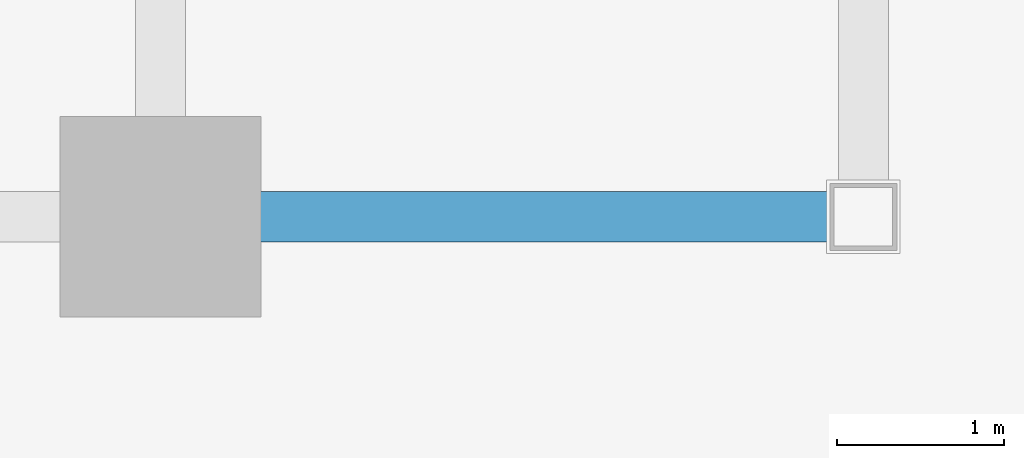
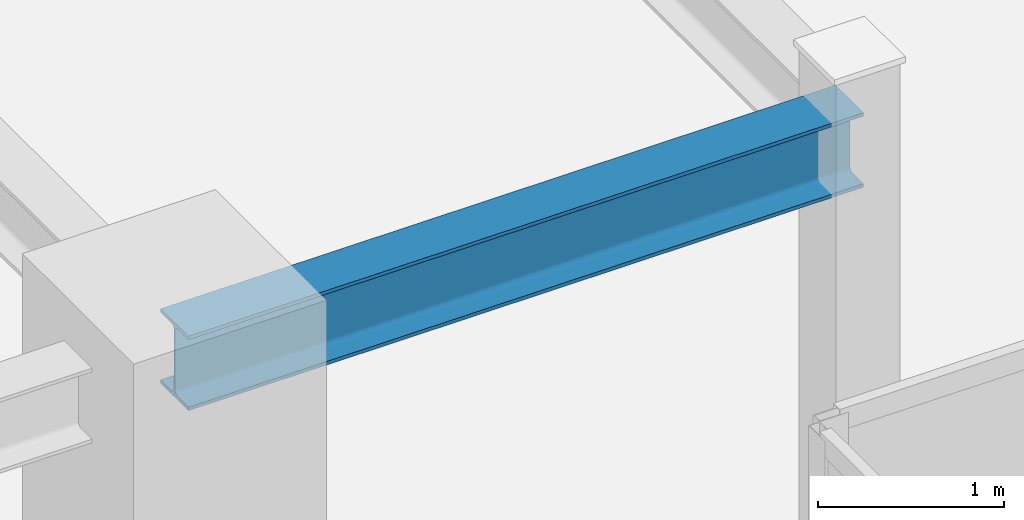
# One storey, part 7 of 25: 1 beam.
"""IFC4 building model written with IfcOpenShell, lengths in metres."""

from ifc_helpers import new_model, si_unit, direction, frame, origin, origin_2d, place, context, subcontext, project, spatial, i_section, extrude, source, transform, mapped, material, material_profile, profile_set, type_object, type_shapes, element, save


model = new_model("IFC4")

# Units and contexts
model_context = context("Model", 3, precision=1e-05, world=origin(), true_north=direction((0.0, 1.0)))
body_context = subcontext(model_context, "Body", "Model", "MODEL_VIEW")
ifc_project = project(units=[si_unit("LENGTHUNIT", "METRE"), si_unit("AREAUNIT", "SQUARE_METRE"), si_unit("VOLUMEUNIT", "CUBIC_METRE"), si_unit("PLANEANGLEUNIT", "RADIAN"), si_unit("MASSUNIT", "GRAM", prefix="KILO")], contexts=[model_context])

# Site, building, storey
site_placement = place(None, origin())
site = spatial("IfcSite", under=ifc_project, at=site_placement, CompositionType="ELEMENT")
building_placement = place(site_placement, origin())
building = spatial("IfcBuilding", under=site, at=building_placement, Name="Krantzveldt Concourse Tower", CompositionType="ELEMENT")
storey_placement = place(building_placement, frame((0.0, 0.0, 374.64990234375)))
storey = spatial("IfcBuildingStorey", under=building, at=storey_placement, Name="L92", CompositionType="ELEMENT", Elevation=374.64990234375)

# Beam
ifc_material = material(Name="Steel S355JR", Category="steel")
ifc_material_profile = material_profile(ifc_material, i_section(OverallWidth=0.300048828125, OverallDepth=0.489990234375, WebThickness=0.011962890625, FlangeThickness=0.02294921875, FilletRadius=0.027099609375, at=origin_2d()), Name="Steel S355JR", Category="steel")
ifc_profile_set = profile_set([ifc_material_profile], Name="Steel S355JR - HEA 500")
beam_type = type_object("IfcBeamType", Name="BM-B-HEA500", PredefinedType="BEAM", material=ifc_profile_set)
shared_shape = source(origin(), body_context, "Body", "SweptSolid", [
    extrude(i_section(OverallWidth=0.300048828125, OverallDepth=0.489990234375, WebThickness=0.011962890625, FlangeThickness=0.02294921875, FilletRadius=0.027099609375, at=origin_2d()), origin(), (0.0, 0.0, 1.0), 4.199951171875),
])
type_shapes(beam_type, [shared_shape])
beam_placement = place(storey_placement, frame((51.0, 15.89990234375, 3.05517578125), z_axis=(-1.0, 0.0, 0.0), x_axis=(0.0, -1.0, 0.0)))
element("IfcBeam", 1, at=beam_placement, inside=storey, type_object=beam_type, Name="L92 Crown Girder EAST-6", PredefinedType="BEAM", context=body_context, shape_type="MappedRepresentation", body=[
    mapped(shared_shape, transform((0.0, 0.0, 0.0), x_axis=(1.0, 0.0, 0.0), y_axis=(0.0, 1.0, 0.0), z_axis=(0.0, 0.0, 1.0), scale=1.0)),
])

save(model, "model.ifc")
